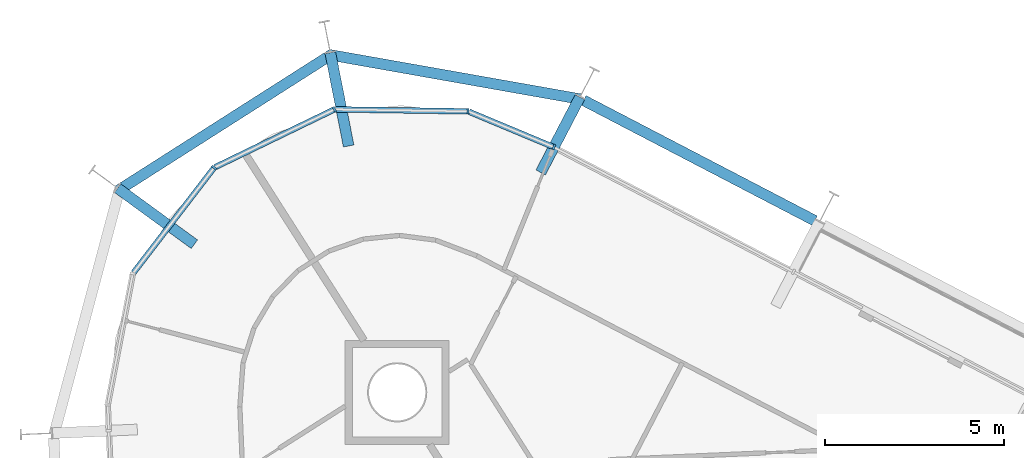
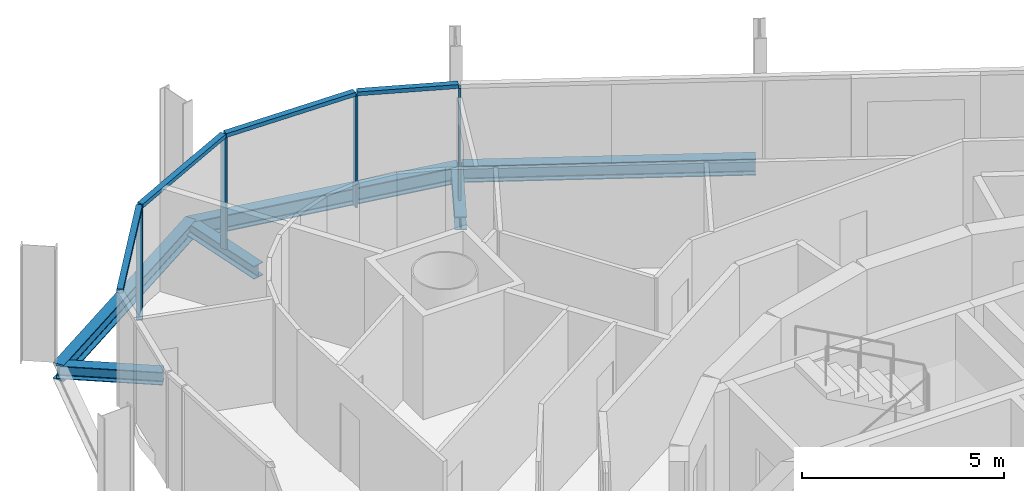
# One storey, part 8 of 18: 8 members, 6 beams, 1 element without a shape of its own.
"""IFC4 building model written with IfcOpenShell, lengths in metres."""

from ifc_helpers import new_model, si_unit, direction, frame, origin, origin_2d, place, context, subcontext, project, spatial, rectangle, i_section, extrude, material, layer, layer_set, material_profile, profile_set, type_object, element, aggregate, save


model = new_model("IFC4")

# Units and contexts
model_context = context("Model", 3, precision=1e-05, world=origin(), true_north=direction((0.0, 1.0)))
body_context = subcontext(model_context, "Body", "Model", "MODEL_VIEW")
ifc_project = project(units=[si_unit("LENGTHUNIT", "METRE"), si_unit("AREAUNIT", "SQUARE_METRE"), si_unit("VOLUMEUNIT", "CUBIC_METRE"), si_unit("PLANEANGLEUNIT", "RADIAN"), si_unit("MASSUNIT", "GRAM", prefix="KILO")], contexts=[model_context])

# Site, building, storey
site_placement = place(None, origin())
site = spatial("IfcSite", under=ifc_project, at=site_placement, CompositionType="ELEMENT")
building_placement = place(site_placement, origin())
building = spatial("IfcBuilding", under=site, at=building_placement, Name="Spindle Arch Residences", CompositionType="ELEMENT")
storey_placement = place(building_placement, frame((0.0, 0.0, 230.199951171875)))
storey = spatial("IfcBuildingStorey", under=building, at=storey_placement, Name="L58", CompositionType="ELEMENT", Elevation=230.199951171875)

# Curtain wall, members
ifc_material_1 = material(Name="Aluminium bronze unitised frame with tinted glass", Category="aluminium")
ifc_layer = layer(ifc_material_1, 0.159912109375)
ifc_layer_set = layer_set([ifc_layer], Name="CW-D corner wall on the fillet arcs")
curtain_wall_type = type_object("IfcCurtainWallType", Name="CW-D corner wall on the fillet arcs", PredefinedType="NOTDEFINED", material=ifc_layer_set)
curtain_wall_placement = place(storey_placement, origin())
curtain_wall = element("IfcCurtainWall", 1, at=curtain_wall_placement, inside=storey, type_object=curtain_wall_type, Name="CW-D L58 run 3", PredefinedType="NOTDEFINED")
ifc_material_2 = material(Name="Aluminium bronze anodised mullion", Category="aluminium")
ifc_material_profile_1 = material_profile(ifc_material_2, rectangle(XDim=0.159912109375, YDim=0.06005859375, at=origin_2d()), Name="MU 60x160")
ifc_profile_set_1 = profile_set([ifc_material_profile_1], Name="Aluminium bronze anodised mullion")
member_type_1 = type_object("IfcMemberType", Name="Bronze mullion 60x160", PredefinedType="MULLION", material=ifc_profile_set_1)
member_1_placement = place(storey_placement, frame((-6.19970703125, 23.423828125, -0.3798828125), z_axis=(0.0, 0.0, 1.0), x_axis=(-0.385552013734, -0.92268610302, 0.0)))
member_1 = element("IfcMember", 2, at=member_1_placement, type_object=member_type_1, Name="CW-D mullion 00", PredefinedType="MULLION", context=body_context, shape_type="SweptSolid", body=[
    extrude(rectangle(XDim=0.159912109375, YDim=0.06005859375, at=origin_2d()), origin(), (0.0, 0.0, 1.0), 3.3798828125),
])
member_2_placement = place(storey_placement, frame((-8.590576171875, 24.422607421875, -0.3798828125), z_axis=(0.0, 0.0, 1.0), x_axis=(-0.014543896145, -0.999894231949, 0.0)))
member_2 = element("IfcMember", 3, at=member_2_placement, type_object=member_type_1, Name="CW-D mullion 01", PredefinedType="MULLION", context=body_context, shape_type="SweptSolid", body=[
    extrude(rectangle(XDim=0.159912109375, YDim=0.06005859375, at=origin_2d()), origin(), (0.0, 0.0, 1.0), 3.3798828125),
])
member_3_placement = place(storey_placement, frame((-12.31689453125, 24.476806640625, -0.3798828125), z_axis=(0.0, 0.0, 1.0), x_axis=(0.435754815677, -0.900065409075, 0.0)))
member_3 = element("IfcMember", 4, at=member_3_placement, type_object=member_type_1, Name="CW-D mullion 02", PredefinedType="MULLION", context=body_context, shape_type="SweptSolid", body=[
    extrude(rectangle(XDim=0.159912109375, YDim=0.06005859375, at=origin_2d()), origin(), (0.0, 0.0, 1.0), 3.3798828125),
])
member_4_placement = place(storey_placement, frame((-15.671142578125, 22.85302734375, -0.3798828125), z_axis=(0.0, 0.0, 1.0), x_axis=(0.793353344679, -0.60876142329, 0.0)))
member_4 = element("IfcMember", 5, at=member_4_placement, type_object=member_type_1, Name="CW-D mullion 03", PredefinedType="MULLION", context=body_context, shape_type="SweptSolid", body=[
    extrude(rectangle(XDim=0.159912109375, YDim=0.06005859375, at=origin_2d()), origin(), (0.0, 0.0, 1.0), 3.3798828125),
])
ifc_material_3 = material(Name="Aluminium bronze anodised transom", Category="aluminium")
ifc_material_profile_2 = material_profile(ifc_material_3, rectangle(XDim=0.159912109375, YDim=0.1201171875, at=origin_2d()), Name="TR 120x160")
ifc_profile_set_2 = profile_set([ifc_material_profile_2], Name="Aluminium bronze anodised transom")
member_type_2 = type_object("IfcMemberType", Name="Bronze transom 120x160", PredefinedType="USERDEFINED", material=ifc_profile_set_2)
member_5_placement = place(storey_placement, frame((-6.2275390625, 23.435302734375, 3.06005859375), z_axis=(-0.922679730335, 0.385567264208, 0.0), x_axis=(-0.385567264208, -0.922679730335, 0.0)))
member_5 = element("IfcMember", 6, at=member_5_placement, type_object=member_type_2, Name="CW-D transom 00", ObjectType="TRANSOM", PredefinedType="USERDEFINED", context=body_context, shape_type="SweptSolid", body=[
    extrude(rectangle(XDim=0.159912109375, YDim=0.1201171875, at=origin_2d()), origin(), (0.0, 0.0, 1.0), 2.531005859375),
])
member_6_placement = place(storey_placement, frame((-8.620361328125, 24.423095703125, 3.06005859375), z_axis=(-0.999893692287, 0.014580950766, 0.0), x_axis=(-0.014580950766, -0.999893692287, 0.0)))
member_6 = element("IfcMember", 7, at=member_6_placement, type_object=member_type_2, Name="CW-D transom 01", ObjectType="TRANSOM", PredefinedType="USERDEFINED", context=body_context, shape_type="SweptSolid", body=[
    extrude(rectangle(XDim=0.159912109375, YDim=0.1201171875, at=origin_2d()), origin(), (0.0, 0.0, 1.0), 3.6669921875),
])
member_7_placement = place(storey_placement, frame((-12.34375, 24.4638671875, 3.06005859375), z_axis=(-0.900053962869, -0.435778457388, 0.0), x_axis=(0.435778457388, -0.900053962869, 0.0)))
member_7 = element("IfcMember", 8, at=member_7_placement, type_object=member_type_2, Name="CW-D transom 02", ObjectType="TRANSOM", PredefinedType="USERDEFINED", context=body_context, shape_type="SweptSolid", body=[
    extrude(rectangle(XDim=0.159912109375, YDim=0.1201171875, at=origin_2d()), origin(), (0.0, 0.0, 1.0), 3.666748046875),
])
member_8_placement = place(storey_placement, frame((-15.689453125, 22.8291015625, 3.06005859375), z_axis=(-0.608773956943, -0.793343727112, 0.0), x_axis=(0.793343727112, -0.608773956943, 0.0)))
member_8 = element("IfcMember", 9, at=member_8_placement, type_object=member_type_2, Name="CW-D transom 03", ObjectType="TRANSOM", PredefinedType="USERDEFINED", context=body_context, shape_type="SweptSolid", body=[
    extrude(rectangle(XDim=0.159912109375, YDim=0.1201171875, at=origin_2d()), origin(), (0.0, 0.0, 1.0), 3.666748046875),
])
aggregate(curtain_wall, [member_1, member_5, member_2, member_6, member_3, member_7, member_4, member_8])

# Beams
ifc_material_4 = material(Name="Steel S460ML, intumescent coating R 120", Category="steel")
ifc_material_profile_3 = material_profile(ifc_material_4, i_section(OverallWidth=0.300048828125, OverallDepth=0.5, WebThickness=0.014404296875, FlangeThickness=0.028076171875, FilletRadius=0.027099609375, at=origin_2d()), Name="HEB 500")
ifc_profile_set_3 = profile_set([ifc_material_profile_3], Name="Steel S460ML, intumescent coating R 120")
beam_type_1 = type_object("IfcBeamType", Name="Exoskeleton edge beam HEB 500", PredefinedType="BEAM", material=ifc_profile_set_3)
beam_1_placement = place(storey_placement, frame((1.0751953125, 21.372802734375, -0.6298828125), z_axis=(-0.887007222688, 0.461755548857, 0.0), x_axis=(-0.461755548857, -0.887007222688, 0.0)))
element("IfcBeam", 10, at=beam_1_placement, inside=storey, type_object=beam_type_1, Name="Exoskeleton edge beam 9", PredefinedType="BEAM", context=body_context, shape_type="SweptSolid", body=[
    extrude(i_section(OverallWidth=0.300048828125, OverallDepth=0.5, WebThickness=0.014404296875, FlangeThickness=0.028076171875, FilletRadius=0.027099609375, at=origin_2d()), origin(), (0.0, 0.0, 1.0), 7.27001953125),
])
beam_2_placement = place(storey_placement, frame((-5.46337890625, 24.762939453125, -0.6298828125), z_axis=(-0.984720537274, 0.174142078404, 0.0), x_axis=(-0.174142078404, -0.984720537274, 0.0)))
element("IfcBeam", 11, at=beam_2_placement, inside=storey, type_object=beam_type_1, Name="Exoskeleton edge beam 10", PredefinedType="BEAM", context=body_context, shape_type="SweptSolid", body=[
    extrude(i_section(OverallWidth=0.300048828125, OverallDepth=0.5, WebThickness=0.014404296875, FlangeThickness=0.028076171875, FilletRadius=0.027099609375, at=origin_2d()), origin(), (0.0, 0.0, 1.0), 7.105224609375),
])
beam_3_placement = place(storey_placement, frame((-12.371337890625, 26.0234375, -0.6298828125), z_axis=(-0.843392249939, -0.537298346119, 0.0), x_axis=(0.537298346119, -0.843392249939, 0.0)))
element("IfcBeam", 12, at=beam_3_placement, inside=storey, type_object=beam_type_1, Name="Exoskeleton edge beam 11", PredefinedType="BEAM", context=body_context, shape_type="SweptSolid", body=[
    extrude(i_section(OverallWidth=0.300048828125, OverallDepth=0.5, WebThickness=0.014404296875, FlangeThickness=0.028076171875, FilletRadius=0.027099609375, at=origin_2d()), origin(), (0.0, 0.0, 1.0), 7.09716796875),
])
ifc_material_5 = material(Name="Steel S460ML, intumescent coating R 120", Category="steel")
ifc_material_profile_4 = material_profile(ifc_material_5, i_section(OverallWidth=0.300048828125, OverallDepth=0.389892578125, WebThickness=0.010986328125, FlangeThickness=0.01904296875, FilletRadius=0.027099609375, at=origin_2d()), Name="HEA 400")
ifc_profile_set_4 = profile_set([ifc_material_profile_4], Name="Steel S460ML, intumescent coating R 120")
beam_type_2 = type_object("IfcBeamType", Name="Floor outrigger HEA 400", PredefinedType="BEAM", material=ifc_profile_set_4)
beam_4_placement = place(storey_placement, frame((-5.474853515625, 24.81640625, -0.574951171875), z_axis=(-0.46171971426, -0.887025876434, 0.0), x_axis=(0.887025876434, -0.46171971426, 0.0)))
element("IfcBeam", 13, at=beam_4_placement, inside=storey, type_object=beam_type_2, Name="Floor outrigger 10", PredefinedType="BEAM", context=body_context, shape_type="SweptSolid", body=[
    extrude(i_section(OverallWidth=0.300048828125, OverallDepth=0.389892578125, WebThickness=0.010986328125, FlangeThickness=0.01904296875, FilletRadius=0.027099609375, at=origin_2d()), origin(), (0.0, 0.0, 1.0), 2.36669921875),
])
beam_5_placement = place(storey_placement, frame((-12.4326171875, 26.056640625, -0.574951171875), z_axis=(0.193191977973, -0.981160975399, 0.0), x_axis=(0.981160975399, 0.193191977973, 0.0)))
element("IfcBeam", 14, at=beam_5_placement, inside=storey, type_object=beam_type_2, Name="Floor outrigger 11", PredefinedType="BEAM", context=body_context, shape_type="SweptSolid", body=[
    extrude(i_section(OverallWidth=0.300048828125, OverallDepth=0.389892578125, WebThickness=0.010986328125, FlangeThickness=0.01904296875, FilletRadius=0.027099609375, at=origin_2d()), origin(), (0.0, 0.0, 1.0), 2.64990234375),
])
beam_6_placement = place(storey_placement, frame((-18.361083984375, 22.27978515625, -0.574951171875), z_axis=(0.807563254959, -0.589780967174, 0.0), x_axis=(0.589780967174, 0.807563254959, 0.0)))
element("IfcBeam", 15, at=beam_6_placement, inside=storey, type_object=beam_type_2, Name="Floor outrigger 12", PredefinedType="BEAM", context=body_context, shape_type="SweptSolid", body=[
    extrude(i_section(OverallWidth=0.300048828125, OverallDepth=0.389892578125, WebThickness=0.010986328125, FlangeThickness=0.01904296875, FilletRadius=0.027099609375, at=origin_2d()), origin(), (0.0, 0.0, 1.0), 2.650146484375),
])

save(model, "model.ifc")
